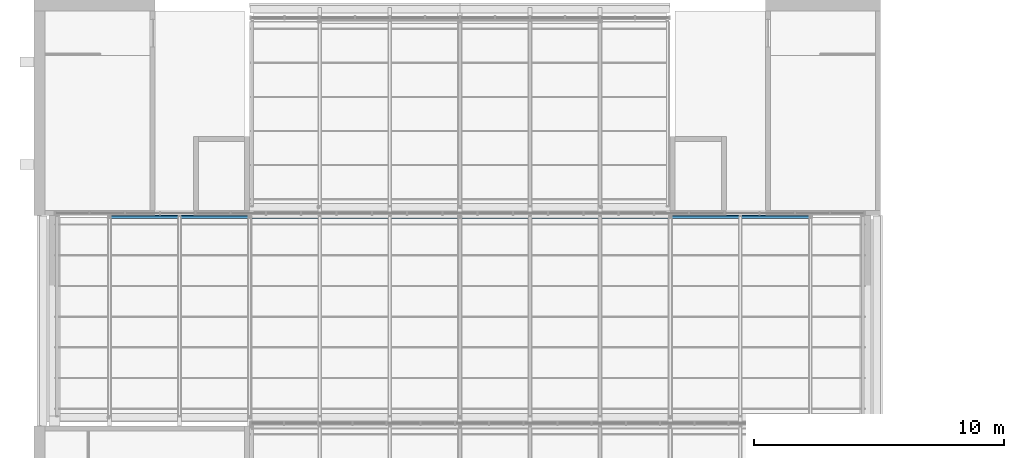
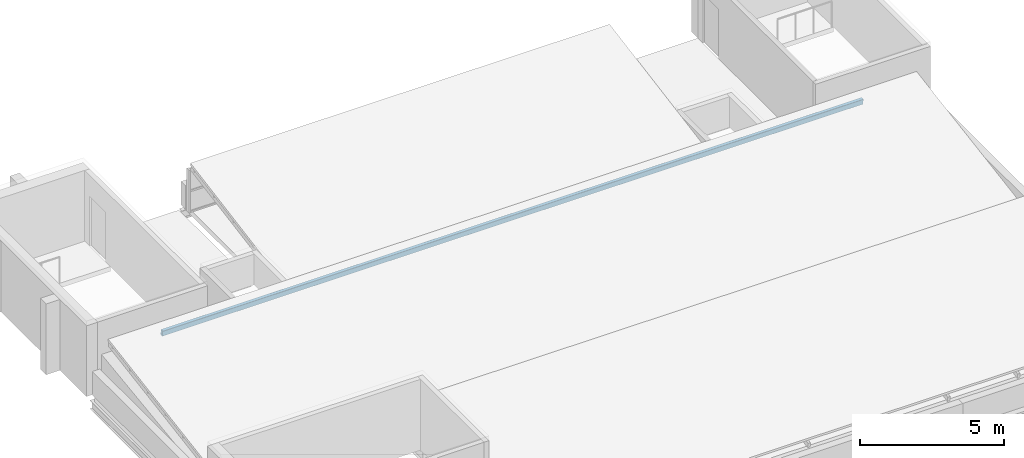
# One storey, part 10 of 42: 1 beam.
"""IFC4 building model written with IfcOpenShell, lengths in metres."""

from ifc_helpers import new_model, si_unit, direction, frame, origin, origin_2d, place, context, subcontext, project, spatial, hollow_rectangle, extrude, material, material_profile, profile_set, type_object, element, save


model = new_model("IFC4")

# Units and contexts
model_context = context("Model", 3, precision=1e-05, world=origin(), true_north=direction((0.0, 1.0)))
body_context = subcontext(model_context, "Body", "Model", "MODEL_VIEW")
ifc_project = project(units=[si_unit("LENGTHUNIT", "METRE"), si_unit("AREAUNIT", "SQUARE_METRE"), si_unit("VOLUMEUNIT", "CUBIC_METRE"), si_unit("PLANEANGLEUNIT", "RADIAN"), si_unit("MASSUNIT", "GRAM", prefix="KILO")], contexts=[model_context])

# Site, building, storey
site_placement = place(None, origin())
site = spatial("IfcSite", under=ifc_project, at=site_placement, CompositionType="ELEMENT")
building_placement = place(site_placement, origin())
building = spatial("IfcBuilding", under=site, at=building_placement, Name="Ardhachandra Cancer Care Centre", CompositionType="ELEMENT")
storey_placement = place(building_placement, frame((0.0, 0.0, 22.5)))
storey = spatial("IfcBuildingStorey", under=building, at=storey_placement, Name="L05", CompositionType="ELEMENT", Elevation=22.5)

# Beam
ifc_material = material(Name="Steel E350 (IS 2062)", Category="steel")
ifc_material_profile = material_profile(ifc_material, hollow_rectangle(XDim=0.1201171875, YDim=0.239990234375, WallThickness=0.006103515625, InnerFilletRadius=0.006103515625, OuterFilletRadius=0.011962890625, at=origin_2d()), Name="RHS 240x120x6.0")
ifc_profile_set = profile_set([ifc_material_profile], Name="Steel E350 (IS 2062)")
beam_type = type_object("IfcBeamType", Name="Sawtooth ridge beam RHS 240x120x6.0", PredefinedType="BEAM", material=ifc_profile_set)
beam_placement = place(storey_placement, frame((13.56005859375, 88.14990234375, 1.690185546875), z_axis=(1.0, 0.0, 0.0), x_axis=(0.0, 0.986659291142, 0.162798781332)))
element("IfcBeam", 1, at=beam_placement, inside=storey, type_object=beam_type, Name="Ridge beam NT2a", PredefinedType="BEAM", context=body_context, shape_type="SweptSolid", body=[
    extrude(hollow_rectangle(XDim=0.1201171875, YDim=0.239990234375, WallThickness=0.006103515625, InnerFilletRadius=0.006103515625, OuterFilletRadius=0.011962890625, at=origin_2d()), origin(), (0.0, 0.0, 1.0), 28.079833984375),
])

save(model, "model.ifc")
